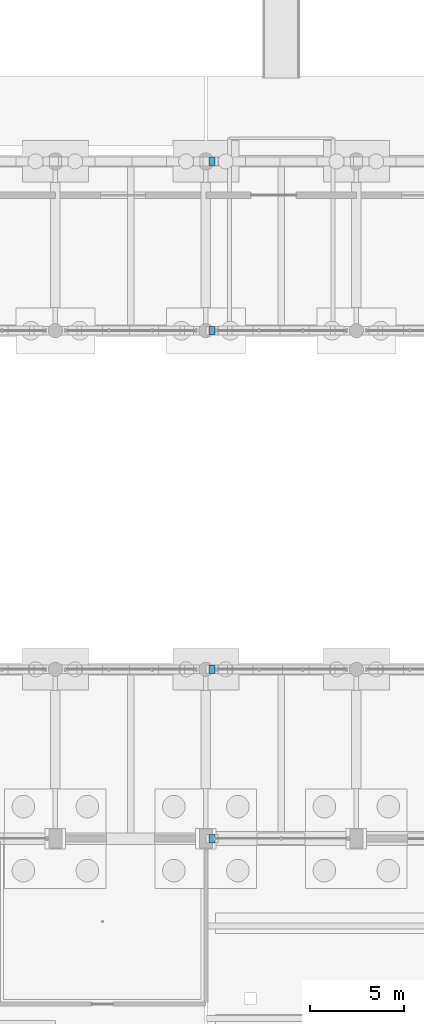
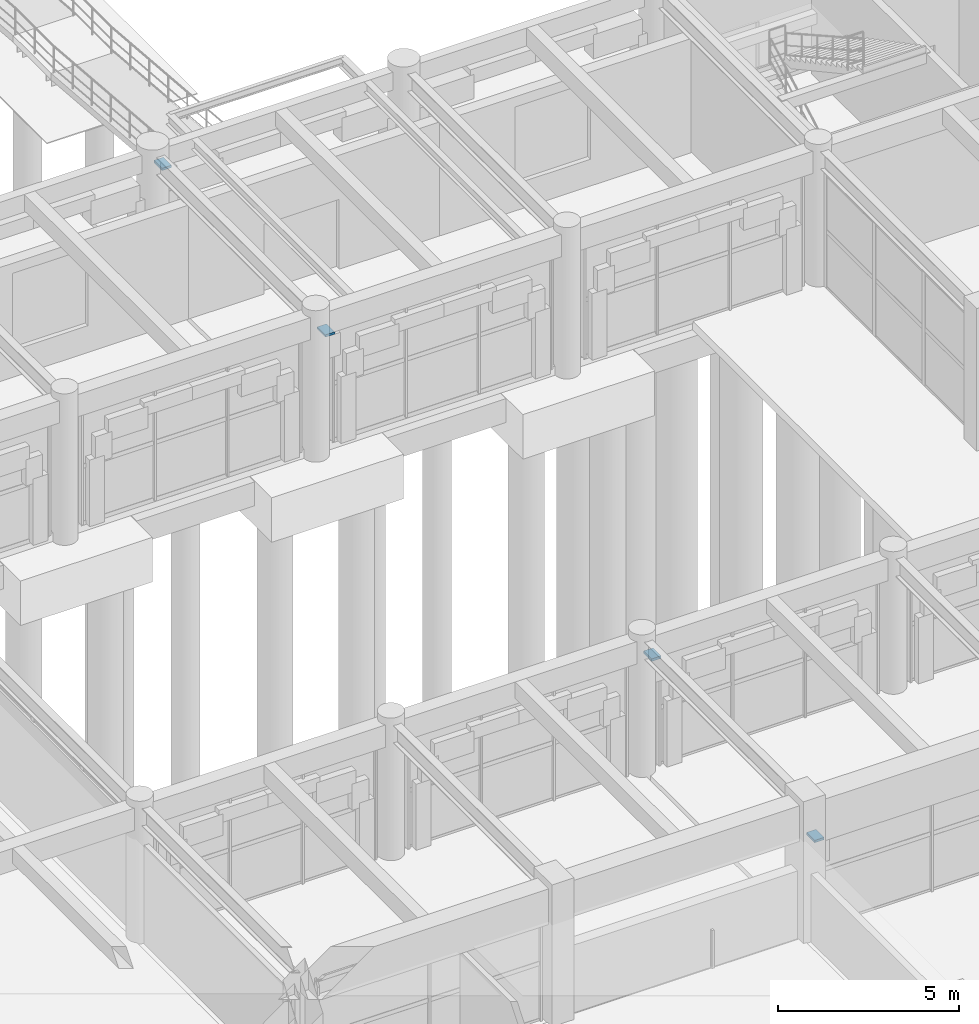
# One storey, part 131 of 147: 4 discrete accessories.
"""IFC4 building model written with IfcOpenShell, lengths in metres."""

from ifc_helpers import new_model, si_unit, direction, frame, origin, origin_2d, place, context, subcontext, project, spatial, rectangle, extrude, material, layer, layer_set, type_object, element, save


model = new_model("IFC4")

# Units and contexts
model_context = context("Model", 3, precision=1e-05, world=origin(), true_north=direction((0.0, 1.0)))
body_context = subcontext(model_context, "Body", "Model", "MODEL_VIEW")
ifc_project = project(units=[si_unit("LENGTHUNIT", "METRE"), si_unit("AREAUNIT", "SQUARE_METRE"), si_unit("VOLUMEUNIT", "CUBIC_METRE"), si_unit("PLANEANGLEUNIT", "RADIAN"), si_unit("MASSUNIT", "GRAM", prefix="KILO")], contexts=[model_context])

# Site, building, storey
site_placement = place(None, origin())
site = spatial("IfcSite", under=ifc_project, at=site_placement, CompositionType="ELEMENT")
building_placement = place(site_placement, origin())
building = spatial("IfcBuilding", under=site, at=building_placement, Name="Varnabhumi Central Station", CompositionType="ELEMENT")
storey_placement = place(building_placement, origin())
storey = spatial("IfcBuildingStorey", under=building, at=storey_placement, Name="L00", CompositionType="ELEMENT", Elevation=0.0)

# Discrete accessories
ifc_material = material(Name="Structural steel E350", Category="steel")
ifc_layer = layer(ifc_material, 0.080078125, Name="Structural steel E350", Category="steel")
ifc_layer_set = layer_set([ifc_layer], Name="Structural steel E350")
discrete_accessory_type = type_object("IfcDiscreteAccessoryType", Name="ACC-BEARING-SHOE", PredefinedType="SHOE", material=ifc_layer_set)
for number, where, z_axis, x_axis, name in (
    (1, (64.324951171875, 80.0, 3.070068359375), (0.0, 0.0, 1.0), (1.0, 0.0, 0.0), "Movement Joint Bearing L00-K-9"),
    (2, (64.324951171875, 89.0, 3.719970703125), (0.0, 0.0, 1.0), (1.0, 0.0, 0.0), "Movement Joint Bearing L00-L-9"),
    (3, (64.324951171875, 107.0, 3.719970703125), (0.0, 0.0, 1.0), (1.0, 0.0, 0.0), "Movement Joint Bearing L00-N-9"),
    (4, (64.324951171875, 116.0, 3.869873046875), (0.0, 0.0, 1.0), (1.0, 0.0, 0.0), "Movement Joint Bearing L00-P-9"),
):
    element("IfcDiscreteAccessory", number, at=place(storey_placement, frame(where, z_axis=z_axis, x_axis=x_axis)), inside=storey, type_object=discrete_accessory_type, Name=name, PredefinedType="SHOE", context=body_context, shape_type="SweptSolid", body=[
        extrude(rectangle(XDim=0.300048828125, YDim=0.449951171875, at=origin_2d()), origin(), (0.0, 0.0, 1.0), 0.080078125),
    ])

save(model, "model.ifc")
